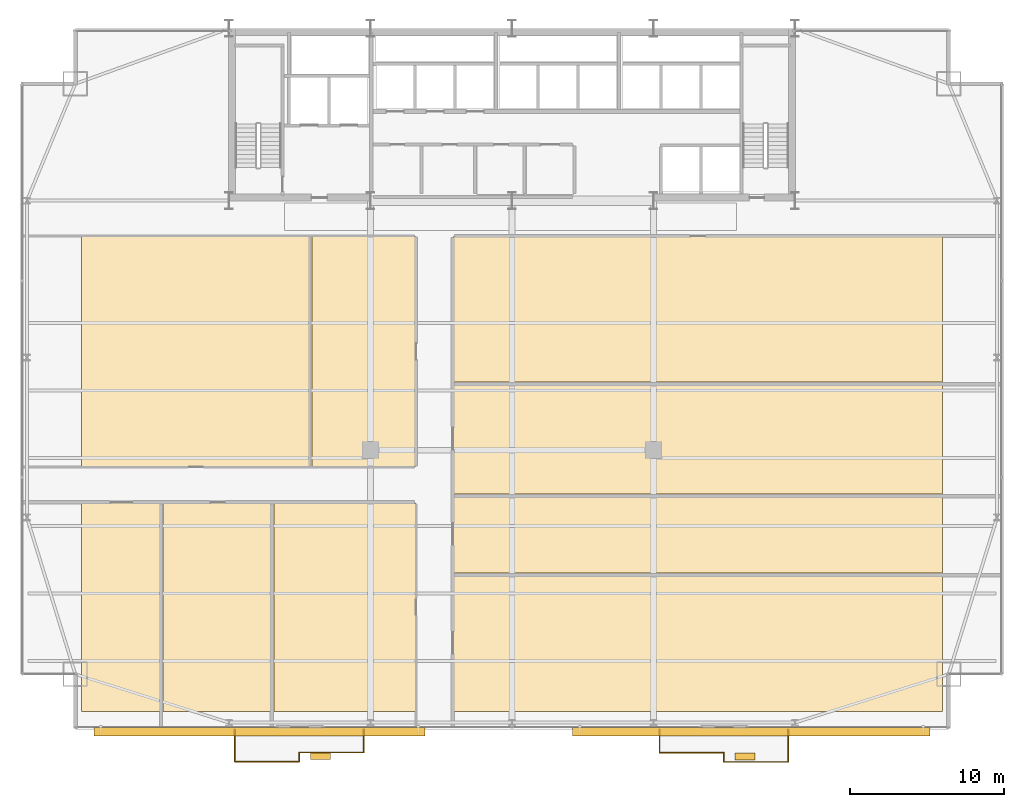
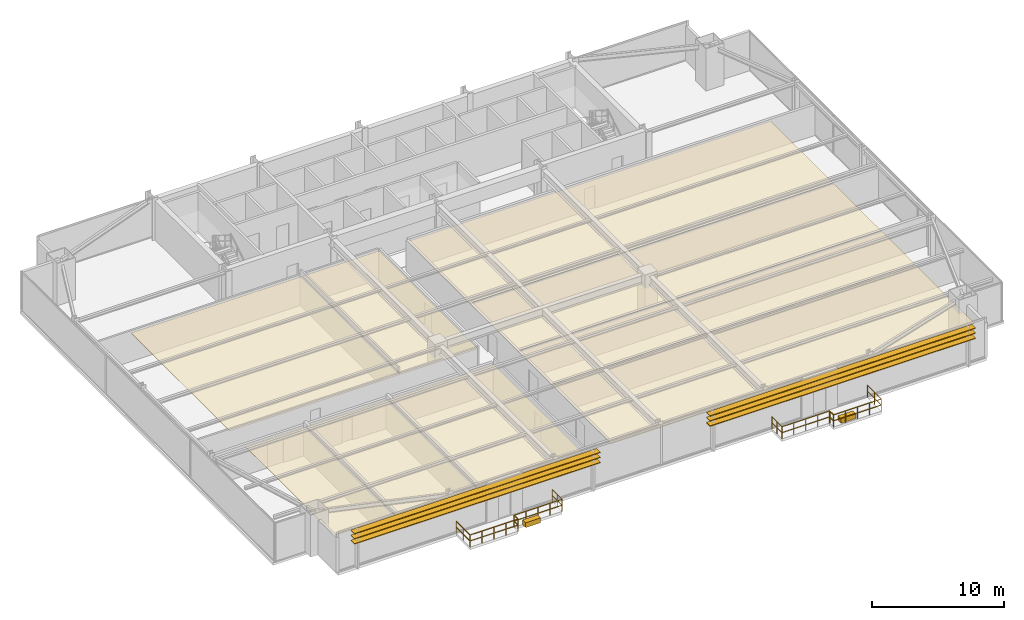
# One storey, part 28 of 29: 11 coverings, 10 railings, 6 shading devices.
"""IFC4 building model written with IfcOpenShell, lengths in metres."""

from ifc_helpers import new_model, si_unit, direction, frame, origin, origin_2d, place, context, subcontext, project, spatial, polyline, rectangle, outline, extrude, source, transform, mapped, material, layer, layer_set, type_object, type_shapes, element, save


model = new_model("IFC4")

# Units and contexts
model_context = context("Model", 3, precision=1e-05, world=origin(), true_north=direction((0.0, 1.0)))
body_context = subcontext(model_context, "Body", "Model", "MODEL_VIEW")
ifc_project = project(units=[si_unit("LENGTHUNIT", "METRE"), si_unit("AREAUNIT", "SQUARE_METRE"), si_unit("VOLUMEUNIT", "CUBIC_METRE"), si_unit("PLANEANGLEUNIT", "RADIAN"), si_unit("MASSUNIT", "GRAM", prefix="KILO")], contexts=[model_context])

# Site, building, storey
site_placement = place(None, origin())
site = spatial("IfcSite", under=ifc_project, at=site_placement, CompositionType="ELEMENT")
building_placement = place(site_placement, origin())
building = spatial("IfcBuilding", under=site, at=building_placement, Name="Varnel Quay Broadcast Tower", CompositionType="ELEMENT")
storey_placement = place(building_placement, frame((0.0, 0.0, 74.39990234375)))
storey = spatial("IfcBuildingStorey", under=building, at=storey_placement, Name="L17", CompositionType="ELEMENT", Elevation=74.39990234375)

# Coverings
ifc_material_1 = material(Name="Micro-Perforated Acoustic Ceiling Tile")
ifc_layer_1 = layer(ifc_material_1, 0.0400390625, Name="Micro-Perforated Acoustic Ceiling Tile")
ifc_layer_set_1 = layer_set([ifc_layer_1], Name="Micro-Perforated Acoustic Ceiling Tile")
covering_type_1 = type_object("IfcCoveringType", Name="Cov_AcousticCeiling", PredefinedType="CEILING", material=ifc_layer_set_1)
covering_1_placement = place(storey_placement, frame((0.0, 0.0, 2.580078125)))
element("IfcCovering", 1, at=covering_1_placement, inside=storey, type_object=covering_type_1, Name="L17 Voice Booth 1 Acoustic Ceiling", PredefinedType="CEILING", context=body_context, shape_type="SweptSolid", body=[
    extrude(outline(polyline([(5.985107421875, 2.375), (11.235107421875, 2.375), (11.235107421875, 15.945068359375), (5.985107421875, 15.945068359375), (5.985107421875, 2.375)])), origin(), (0.0, 0.0, 1.0), 0.0400390625),
])
covering_2_placement = place(storey_placement, frame((0.0, 0.0, 2.580078125)))
element("IfcCovering", 2, at=covering_2_placement, inside=storey, type_object=covering_type_1, Name="L17 Audio Control Room 2 Acoustic Ceiling", PredefinedType="CEILING", context=body_context, shape_type="SweptSolid", body=[
    extrude(outline(polyline([(11.304931640625, 2.375), (18.43505859375, 2.375), (18.43505859375, 15.945068359375), (11.304931640625, 15.945068359375), (11.304931640625, 2.375)])), origin(), (0.0, 0.0, 1.0), 0.0400390625),
])
covering_3_placement = place(storey_placement, frame((0.0, 0.0, 2.580078125)))
element("IfcCovering", 3, at=covering_3_placement, inside=storey, type_object=covering_type_1, Name="L17 Talent Lounge 3 Acoustic Ceiling", PredefinedType="CEILING", context=body_context, shape_type="SweptSolid", body=[
    extrude(outline(polyline([(18.5048828125, 2.375), (27.715087890625, 2.375), (27.715087890625, 15.945068359375), (18.5048828125, 15.945068359375), (18.5048828125, 2.375)])), origin(), (0.0, 0.0, 1.0), 0.0400390625),
])
covering_4_placement = place(storey_placement, frame((0.0, 0.0, 2.580078125)))
element("IfcCovering", 4, at=covering_4_placement, inside=storey, type_object=covering_type_1, Name="L17 Pantry Niche 4 Acoustic Ceiling", PredefinedType="CEILING", context=body_context, shape_type="SweptSolid", body=[
    extrude(outline(polyline([(5.985107421875, 18.31494140625), (20.9150390625, 18.31494140625), (20.9150390625, 33.264892578125), (5.985107421875, 33.264892578125), (5.985107421875, 18.31494140625)])), origin(), (0.0, 0.0, 1.0), 0.0400390625),
])
covering_5_placement = place(storey_placement, frame((0.0, 0.0, 2.580078125)))
element("IfcCovering", 5, at=covering_5_placement, inside=storey, type_object=covering_type_1, Name="L17 Broadcast Seminar Room 5 Acoustic Ceiling", PredefinedType="CEILING", context=body_context, shape_type="SweptSolid", body=[
    extrude(outline(polyline([(20.985107421875, 18.31494140625), (27.715087890625, 18.31494140625), (27.715087890625, 33.264892578125), (20.985107421875, 33.264892578125), (20.985107421875, 18.31494140625)])), origin(), (0.0, 0.0, 1.0), 0.0400390625),
])
covering_6_placement = place(storey_placement, frame((0.0, 0.0, 2.580078125)))
element("IfcCovering", 6, at=covering_6_placement, inside=storey, type_object=covering_type_1, Name="L17 Podcast Recording Studio 6 Acoustic Ceiling", PredefinedType="CEILING", context=body_context, shape_type="SweptSolid", body=[
    extrude(outline(polyline([(30.18505859375, 2.375), (62.014892578125, 2.375), (62.014892578125, 11.304931640625), (30.18505859375, 11.304931640625), (30.18505859375, 2.375)])), origin(), (0.0, 0.0, 1.0), 0.0400390625),
])
covering_7_placement = place(storey_placement, frame((0.0, 0.0, 2.580078125)))
element("IfcCovering", 7, at=covering_7_placement, inside=storey, type_object=covering_type_1, Name="L17 Foley Sound Studio 7 Acoustic Ceiling", PredefinedType="CEILING", context=body_context, shape_type="SweptSolid", body=[
    extrude(outline(polyline([(30.18505859375, 11.375), (62.014892578125, 11.375), (62.014892578125, 16.43505859375), (30.18505859375, 16.43505859375), (30.18505859375, 11.375)])), origin(), (0.0, 0.0, 1.0), 0.0400390625),
])
covering_8_placement = place(storey_placement, frame((0.0, 0.0, 2.580078125)))
element("IfcCovering", 8, at=covering_8_placement, inside=storey, type_object=covering_type_1, Name="L17 Voice Booth 8 Acoustic Ceiling", PredefinedType="CEILING", context=body_context, shape_type="SweptSolid", body=[
    extrude(outline(polyline([(30.18505859375, 16.5048828125), (62.014892578125, 16.5048828125), (62.014892578125, 23.72509765625), (30.18505859375, 23.72509765625), (30.18505859375, 16.5048828125)])), origin(), (0.0, 0.0, 1.0), 0.0400390625),
])
covering_9_placement = place(storey_placement, frame((0.0, 0.0, 2.580078125)))
element("IfcCovering", 9, at=covering_9_placement, inside=storey, type_object=covering_type_1, Name="L17 Audio Control Room 9 Acoustic Ceiling", PredefinedType="CEILING", context=body_context, shape_type="SweptSolid", body=[
    extrude(outline(polyline([(30.18505859375, 23.794921875), (62.014892578125, 23.794921875), (62.014892578125, 33.264892578125), (30.18505859375, 33.264892578125), (30.18505859375, 23.794921875)])), origin(), (0.0, 0.0, 1.0), 0.0400390625),
])

# Railings
ifc_material_2 = material(Name="Anodised Bronze Aluminium 6063-T6", Category="aluminium")
railing_type = type_object("IfcRailingType", Name="Rail_Balustrade1150", PredefinedType="BALUSTRADE", material=ifc_material_2)
railing_1_placement = place(storey_placement, frame((15.9599609375, -0.886962890625, 0.0)))
element("IfcRailing", 10, at=railing_1_placement, inside=storey, type_object=railing_type, Name="L17 Terrace 1 Guard 1", PredefinedType="BALUSTRADE", context=body_context, shape_type="SweptSolid", body=[
    extrude(rectangle(XDim=0.048095703125, YDim=0.048095703125, at=origin_2d()), frame((0.0, 0.0, 1.1259765625), z_axis=(1.0, 0.0, 0.0), x_axis=(0.0, 1.0, 0.0)), (0.0, 0.0, 1.0), 4.199951171875),
    extrude(rectangle(XDim=0.048095703125, YDim=0.048095703125, at=origin_2d()), frame((0.0, 0.0, 0.574951171875), z_axis=(1.0, 0.0, 0.0), x_axis=(0.0, 1.0, 0.0)), (0.0, 0.0, 1.0), 4.199951171875),
    extrude(rectangle(XDim=0.0419921875, YDim=0.0419921875, at=origin_2d()), origin(), (0.0, 0.0, 1.0), 1.101806640625),
    extrude(rectangle(XDim=0.0419921875, YDim=0.0419921875, at=origin_2d()), frame((1.050048828125, 0.0, 0.0)), (0.0, 0.0, 1.0), 1.101806640625),
    extrude(rectangle(XDim=0.0419921875, YDim=0.0419921875, at=origin_2d()), frame((2.10009765625, 0.0, 0.0)), (0.0, 0.0, 1.0), 1.101806640625),
    extrude(rectangle(XDim=0.0419921875, YDim=0.0419921875, at=origin_2d()), frame((3.14990234375, 0.0, 0.0)), (0.0, 0.0, 1.0), 1.101806640625),
    extrude(rectangle(XDim=0.0419921875, YDim=0.0419921875, at=origin_2d()), frame((4.199951171875, 0.0, 0.0)), (0.0, 0.0, 1.0), 1.101806640625),
])
railing_2_placement = place(storey_placement, frame((20.159912109375, -0.886962890625, 0.0)))
element("IfcRailing", 11, at=railing_2_placement, inside=storey, type_object=railing_type, Name="L17 Terrace 1 Guard 2", PredefinedType="BALUSTRADE", context=body_context, shape_type="SweptSolid", body=[
    extrude(rectangle(XDim=0.048095703125, YDim=0.048095703125, at=origin_2d()), frame((0.0, 0.0, 1.1259765625), z_axis=(0.0, 1.0, 0.0), x_axis=(-1.0, 0.0, 0.0)), (0.0, 0.0, 1.0), 0.599853515625),
    extrude(rectangle(XDim=0.048095703125, YDim=0.048095703125, at=origin_2d()), frame((0.0, 0.0, 0.574951171875), z_axis=(0.0, 1.0, 0.0), x_axis=(-1.0, 0.0, 0.0)), (0.0, 0.0, 1.0), 0.599853515625),
    extrude(rectangle(XDim=0.0419921875, YDim=0.0419921875, at=origin_2d()), origin(), (0.0, 0.0, 1.0), 1.101806640625),
    extrude(rectangle(XDim=0.0419921875, YDim=0.0419921875, at=origin_2d()), frame((0.0, 0.599853515625, 0.0)), (0.0, 0.0, 1.0), 1.101806640625),
])
railing_3_placement = place(storey_placement, frame((20.159912109375, -0.287109375, 0.0)))
element("IfcRailing", 12, at=railing_3_placement, inside=storey, type_object=railing_type, Name="L17 Terrace 1 Guard 3", PredefinedType="BALUSTRADE", context=body_context, shape_type="SweptSolid", body=[
    extrude(rectangle(XDim=0.048095703125, YDim=0.048095703125, at=origin_2d()), frame((0.0, 0.0, 1.1259765625), z_axis=(1.0, 0.0, 0.0), x_axis=(0.0, 1.0, 0.0)), (0.0, 0.0, 1.0), 4.2001953125),
    extrude(rectangle(XDim=0.048095703125, YDim=0.048095703125, at=origin_2d()), frame((0.0, 0.0, 0.574951171875), z_axis=(1.0, 0.0, 0.0), x_axis=(0.0, 1.0, 0.0)), (0.0, 0.0, 1.0), 4.2001953125),
    extrude(rectangle(XDim=0.0419921875, YDim=0.0419921875, at=origin_2d()), origin(), (0.0, 0.0, 1.0), 1.101806640625),
    extrude(rectangle(XDim=0.0419921875, YDim=0.0419921875, at=origin_2d()), frame((1.050048828125, 0.0, 0.0)), (0.0, 0.0, 1.0), 1.101806640625),
    extrude(rectangle(XDim=0.0419921875, YDim=0.0419921875, at=origin_2d()), frame((2.10009765625, 0.0, 0.0)), (0.0, 0.0, 1.0), 1.101806640625),
    extrude(rectangle(XDim=0.0419921875, YDim=0.0419921875, at=origin_2d()), frame((3.150146484375, 0.0, 0.0)), (0.0, 0.0, 1.0), 1.101806640625),
    extrude(rectangle(XDim=0.0419921875, YDim=0.0419921875, at=origin_2d()), frame((4.2001953125, 0.0, 0.0)), (0.0, 0.0, 1.0), 1.101806640625),
])
railing_4_placement = place(storey_placement, frame((24.360107421875, -0.287109375, 0.0)))
element("IfcRailing", 13, at=railing_4_placement, inside=storey, type_object=railing_type, Name="L17 Terrace 1 Guard 4", PredefinedType="BALUSTRADE", context=body_context, shape_type="SweptSolid", body=[
    extrude(rectangle(XDim=0.048095703125, YDim=0.048095703125, at=origin_2d()), frame((0.0, 0.0, 1.1259765625), z_axis=(0.0, 1.0, 0.0), x_axis=(-1.0, 0.0, 0.0)), (0.0, 0.0, 1.0), 1.487060546875),
    extrude(rectangle(XDim=0.048095703125, YDim=0.048095703125, at=origin_2d()), frame((0.0, 0.0, 0.574951171875), z_axis=(0.0, 1.0, 0.0), x_axis=(-1.0, 0.0, 0.0)), (0.0, 0.0, 1.0), 1.487060546875),
    extrude(rectangle(XDim=0.0419921875, YDim=0.0419921875, at=origin_2d()), origin(), (0.0, 0.0, 1.0), 1.101806640625),
    extrude(rectangle(XDim=0.0419921875, YDim=0.0419921875, at=origin_2d()), frame((0.0, 0.74365234375, 0.0)), (0.0, 0.0, 1.0), 1.101806640625),
    extrude(rectangle(XDim=0.0419921875, YDim=0.0419921875, at=origin_2d()), frame((0.0, 1.487060546875, 0.0)), (0.0, 0.0, 1.0), 1.101806640625),
])
railing_5_placement = place(storey_placement, frame((15.9599609375, 1.199951171875, 0.0)))
element("IfcRailing", 14, at=railing_5_placement, inside=storey, type_object=railing_type, Name="L17 Terrace 1 Guard 6", PredefinedType="BALUSTRADE", context=body_context, shape_type="SweptSolid", body=[
    extrude(rectangle(XDim=0.048095703125, YDim=0.048095703125, at=origin_2d()), frame((0.0, 0.0, 1.1259765625), z_axis=(0.0, -1.0, 0.0), x_axis=(1.0, 0.0, 0.0)), (0.0, 0.0, 1.0), 2.0869140625),
    extrude(rectangle(XDim=0.048095703125, YDim=0.048095703125, at=origin_2d()), frame((0.0, 0.0, 0.574951171875), z_axis=(0.0, -1.0, 0.0), x_axis=(1.0, 0.0, 0.0)), (0.0, 0.0, 1.0), 2.0869140625),
    extrude(rectangle(XDim=0.0419921875, YDim=0.0419921875, at=origin_2d()), origin(), (0.0, 0.0, 1.0), 1.101806640625),
    extrude(rectangle(XDim=0.0419921875, YDim=0.0419921875, at=origin_2d()), frame((0.0, -1.04345703125, 0.0)), (0.0, 0.0, 1.0), 1.101806640625),
    extrude(rectangle(XDim=0.0419921875, YDim=0.0419921875, at=origin_2d()), frame((0.0, -2.0869140625, 0.0)), (0.0, 0.0, 1.0), 1.101806640625),
])
railing_6_placement = place(storey_placement, frame((43.60009765625, -0.31298828125, 0.0)))
element("IfcRailing", 15, at=railing_6_placement, inside=storey, type_object=railing_type, Name="L17 Terrace 2 Guard 1", PredefinedType="BALUSTRADE", context=body_context, shape_type="SweptSolid", body=[
    extrude(rectangle(XDim=0.048095703125, YDim=0.048095703125, at=origin_2d()), frame((0.0, 0.0, 1.1259765625), z_axis=(1.0, 0.0, 0.0), x_axis=(0.0, 1.0, 0.0)), (0.0, 0.0, 1.0), 4.179931640625),
    extrude(rectangle(XDim=0.048095703125, YDim=0.048095703125, at=origin_2d()), frame((0.0, 0.0, 0.574951171875), z_axis=(1.0, 0.0, 0.0), x_axis=(0.0, 1.0, 0.0)), (0.0, 0.0, 1.0), 4.179931640625),
    extrude(rectangle(XDim=0.0419921875, YDim=0.0419921875, at=origin_2d()), origin(), (0.0, 0.0, 1.0), 1.101806640625),
    extrude(rectangle(XDim=0.0419921875, YDim=0.0419921875, at=origin_2d()), frame((1.044921875, 0.0, 0.0)), (0.0, 0.0, 1.0), 1.101806640625),
    extrude(rectangle(XDim=0.0419921875, YDim=0.0419921875, at=origin_2d()), frame((2.08984375, 0.0, 0.0)), (0.0, 0.0, 1.0), 1.101806640625),
    extrude(rectangle(XDim=0.0419921875, YDim=0.0419921875, at=origin_2d()), frame((3.135009765625, 0.0, 0.0)), (0.0, 0.0, 1.0), 1.101806640625),
    extrude(rectangle(XDim=0.0419921875, YDim=0.0419921875, at=origin_2d()), frame((4.179931640625, 0.0, 0.0)), (0.0, 0.0, 1.0), 1.101806640625),
])
railing_7_placement = place(storey_placement, frame((47.780029296875, -0.31298828125, 0.0)))
element("IfcRailing", 16, at=railing_7_placement, inside=storey, type_object=railing_type, Name="L17 Terrace 2 Guard 2", PredefinedType="BALUSTRADE", context=body_context, shape_type="SweptSolid", body=[
    extrude(rectangle(XDim=0.048095703125, YDim=0.048095703125, at=origin_2d()), frame((0.0, 0.0, 1.1259765625), z_axis=(0.0, -1.0, 0.0), x_axis=(1.0, 0.0, 0.0)), (0.0, 0.0, 1.0), 0.60009765625),
    extrude(rectangle(XDim=0.048095703125, YDim=0.048095703125, at=origin_2d()), frame((0.0, 0.0, 0.574951171875), z_axis=(0.0, -1.0, 0.0), x_axis=(1.0, 0.0, 0.0)), (0.0, 0.0, 1.0), 0.60009765625),
    extrude(rectangle(XDim=0.0419921875, YDim=0.0419921875, at=origin_2d()), origin(), (0.0, 0.0, 1.0), 1.101806640625),
    extrude(rectangle(XDim=0.0419921875, YDim=0.0419921875, at=origin_2d()), frame((0.0, -0.60009765625, 0.0)), (0.0, 0.0, 1.0), 1.101806640625),
])
railing_8_placement = place(storey_placement, frame((47.780029296875, -0.9130859375, 0.0)))
element("IfcRailing", 17, at=railing_8_placement, inside=storey, type_object=railing_type, Name="L17 Terrace 2 Guard 3", PredefinedType="BALUSTRADE", context=body_context, shape_type="SweptSolid", body=[
    extrude(rectangle(XDim=0.048095703125, YDim=0.048095703125, at=origin_2d()), frame((0.0, 0.0, 1.1259765625), z_axis=(1.0, 0.0, 0.0), x_axis=(0.0, 1.0, 0.0)), (0.0, 0.0, 1.0), 4.179931640625),
    extrude(rectangle(XDim=0.048095703125, YDim=0.048095703125, at=origin_2d()), frame((0.0, 0.0, 0.574951171875), z_axis=(1.0, 0.0, 0.0), x_axis=(0.0, 1.0, 0.0)), (0.0, 0.0, 1.0), 4.179931640625),
    extrude(rectangle(XDim=0.0419921875, YDim=0.0419921875, at=origin_2d()), origin(), (0.0, 0.0, 1.0), 1.101806640625),
    extrude(rectangle(XDim=0.0419921875, YDim=0.0419921875, at=origin_2d()), frame((1.044921875, 0.0, 0.0)), (0.0, 0.0, 1.0), 1.101806640625),
    extrude(rectangle(XDim=0.0419921875, YDim=0.0419921875, at=origin_2d()), frame((2.08984375, 0.0, 0.0)), (0.0, 0.0, 1.0), 1.101806640625),
    extrude(rectangle(XDim=0.0419921875, YDim=0.0419921875, at=origin_2d()), frame((3.135009765625, 0.0, 0.0)), (0.0, 0.0, 1.0), 1.101806640625),
    extrude(rectangle(XDim=0.0419921875, YDim=0.0419921875, at=origin_2d()), frame((4.179931640625, 0.0, 0.0)), (0.0, 0.0, 1.0), 1.101806640625),
])
railing_9_placement = place(storey_placement, frame((51.9599609375, -0.9130859375, 0.0)))
element("IfcRailing", 18, at=railing_9_placement, inside=storey, type_object=railing_type, Name="L17 Terrace 2 Guard 4", PredefinedType="BALUSTRADE", context=body_context, shape_type="SweptSolid", body=[
    extrude(rectangle(XDim=0.048095703125, YDim=0.048095703125, at=origin_2d()), frame((0.0, 0.0, 1.1259765625), z_axis=(0.0, 1.0, 0.0), x_axis=(-1.0, 0.0, 0.0)), (0.0, 0.0, 1.0), 2.113037109375),
    extrude(rectangle(XDim=0.048095703125, YDim=0.048095703125, at=origin_2d()), frame((0.0, 0.0, 0.574951171875), z_axis=(0.0, 1.0, 0.0), x_axis=(-1.0, 0.0, 0.0)), (0.0, 0.0, 1.0), 2.113037109375),
    extrude(rectangle(XDim=0.0419921875, YDim=0.0419921875, at=origin_2d()), origin(), (0.0, 0.0, 1.0), 1.101806640625),
    extrude(rectangle(XDim=0.0419921875, YDim=0.0419921875, at=origin_2d()), frame((0.0, 1.056640625, 0.0)), (0.0, 0.0, 1.0), 1.101806640625),
    extrude(rectangle(XDim=0.0419921875, YDim=0.0419921875, at=origin_2d()), frame((0.0, 2.113037109375, 0.0)), (0.0, 0.0, 1.0), 1.101806640625),
])
railing_10_placement = place(storey_placement, frame((43.60009765625, 1.199951171875, 0.0)))
element("IfcRailing", 19, at=railing_10_placement, inside=storey, type_object=railing_type, Name="L17 Terrace 2 Guard 6", PredefinedType="BALUSTRADE", context=body_context, shape_type="SweptSolid", body=[
    extrude(rectangle(XDim=0.048095703125, YDim=0.048095703125, at=origin_2d()), frame((0.0, 0.0, 1.1259765625), z_axis=(0.0, -1.0, 0.0), x_axis=(1.0, 0.0, 0.0)), (0.0, 0.0, 1.0), 1.512939453125),
    extrude(rectangle(XDim=0.048095703125, YDim=0.048095703125, at=origin_2d()), frame((0.0, 0.0, 0.574951171875), z_axis=(0.0, -1.0, 0.0), x_axis=(1.0, 0.0, 0.0)), (0.0, 0.0, 1.0), 1.512939453125),
    extrude(rectangle(XDim=0.0419921875, YDim=0.0419921875, at=origin_2d()), origin(), (0.0, 0.0, 1.0), 1.101806640625),
    extrude(rectangle(XDim=0.0419921875, YDim=0.0419921875, at=origin_2d()), frame((0.0, -0.75634765625, 0.0)), (0.0, 0.0, 1.0), 1.101806640625),
    extrude(rectangle(XDim=0.0419921875, YDim=0.0419921875, at=origin_2d()), frame((0.0, -1.512939453125, 0.0)), (0.0, 0.0, 1.0), 1.101806640625),
])

# Coverings
ifc_material_3 = material(Name="Bronze-Terracotta Extruded Ceramic Blade", Category="masonry")
ifc_layer_2 = layer(ifc_material_3, 0.449951171875, Name="Bronze-Terracotta Extruded Ceramic Blade")
ifc_layer_set_2 = layer_set([ifc_layer_2], Name="Bronze-Terracotta Extruded Ceramic Blade")
covering_type_2 = type_object("IfcCoveringType", Name="Cov_BronzePlanter", PredefinedType="CLADDING", material=ifc_layer_set_2)
shared_shape_1 = source(origin(), body_context, "Body", "SweptSolid", [
    extrude(rectangle(XDim=1.300048828125, YDim=0.449951171875, at=origin_2d()), origin(), (0.0, 0.0, 1.0), 0.449951171875),
])
type_shapes(covering_type_2, [shared_shape_1])
for number, where, z_axis, x_axis, name in (
    (20, (21.550048828125, -0.537109375, 0.0), (0.0, 0.0, 1.0), (1.0, 0.0, 0.0), "L17 Terrace 1 Bronze Planter"),
    (21, (49.14990234375, -0.56298828125, 0.0), (0.0, 0.0, 1.0), (1.0, 0.0, 0.0), "L17 Terrace 2 Bronze Planter"),
):
    element("IfcCovering", number, at=place(storey_placement, frame(where, z_axis=z_axis, x_axis=x_axis)), inside=storey, type_object=covering_type_2, Name=name, PredefinedType="CLADDING", context=body_context, shape_type="MappedRepresentation", body=[
        mapped(shared_shape_1, transform((0.0, 0.0, 0.0), x_axis=(1.0, 0.0, 0.0), y_axis=(0.0, 1.0, 0.0), z_axis=(0.0, 0.0, 1.0), scale=1.0)),
    ])

# Shading devices
ifc_layer_3 = layer(ifc_material_3, 0.06494140625, Name="Bronze-Terracotta Extruded Ceramic Blade")
ifc_layer_set_3 = layer_set([ifc_layer_3], Name="Bronze-Terracotta Extruded Ceramic Blade")
shading_device_type = type_object("IfcShadingDeviceType", Name="Shade_LouvreBlade550", PredefinedType="JALOUSIE", material=ifc_layer_set_3)
shared_shape_2 = source(origin(), body_context, "Body", "SweptSolid", [
    extrude(rectangle(XDim=23.256103515625, YDim=0.550048828125, at=origin_2d()), origin(), (0.0, 0.0, 1.0), 0.06494140625),
])
for number, where, z_axis, x_axis, name in (
    (22, (49.572021484375, 1.06005859375, 2.447509765625), (0.0, 0.0, 1.0), (1.0, 0.0, 0.0), "L17 Lobe 2 Horizontal Louvre Blade 1"),
    (23, (49.572021484375, 1.06005859375, 2.927734375), (0.0, 0.0, 1.0), (1.0, 0.0, 0.0), "L17 Lobe 2 Horizontal Louvre Blade 2"),
    (24, (49.572021484375, 1.06005859375, 3.3876953125), (0.0, 0.0, 1.0), (1.0, 0.0, 0.0), "L17 Lobe 2 Horizontal Louvre Blade 3"),
):
    element("IfcShadingDevice", number, at=place(storey_placement, frame(where, z_axis=z_axis, x_axis=x_axis)), inside=storey, type_object=shading_device_type, Name=name, PredefinedType="JALOUSIE", context=body_context, shape_type="MappedRepresentation", body=[
        mapped(shared_shape_2, transform((0.0, 0.0, 0.0), x_axis=(1.0, 0.0, 0.0), y_axis=(0.0, 1.0, 0.0), z_axis=(0.0, 0.0, 1.0), scale=1.0)),
    ])
shared_shape_3 = source(origin(), body_context, "Body", "SweptSolid", [
    extrude(rectangle(XDim=21.5439453125, YDim=0.550048828125, at=origin_2d()), origin(), (0.0, 0.0, 1.0), 0.06494140625),
])
type_shapes(shading_device_type, [shared_shape_2, shared_shape_3])
for number, where, z_axis, x_axis, name in (
    (25, (17.572021484375, 1.06005859375, 2.447509765625), (0.0, 0.0, 1.0), (1.0, 0.0, 0.0), "L17 Lobe 1 Horizontal Louvre Blade 1"),
    (26, (17.572021484375, 1.06005859375, 2.927734375), (0.0, 0.0, 1.0), (1.0, 0.0, 0.0), "L17 Lobe 1 Horizontal Louvre Blade 2"),
    (27, (17.572021484375, 1.06005859375, 3.3876953125), (0.0, 0.0, 1.0), (1.0, 0.0, 0.0), "L17 Lobe 1 Horizontal Louvre Blade 3"),
):
    element("IfcShadingDevice", number, at=place(storey_placement, frame(where, z_axis=z_axis, x_axis=x_axis)), inside=storey, type_object=shading_device_type, Name=name, PredefinedType="JALOUSIE", context=body_context, shape_type="MappedRepresentation", body=[
        mapped(shared_shape_3, transform((0.0, 0.0, 0.0), x_axis=(1.0, 0.0, 0.0), y_axis=(0.0, 1.0, 0.0), z_axis=(0.0, 0.0, 1.0), scale=1.0)),
    ])

save(model, "model.ifc")
